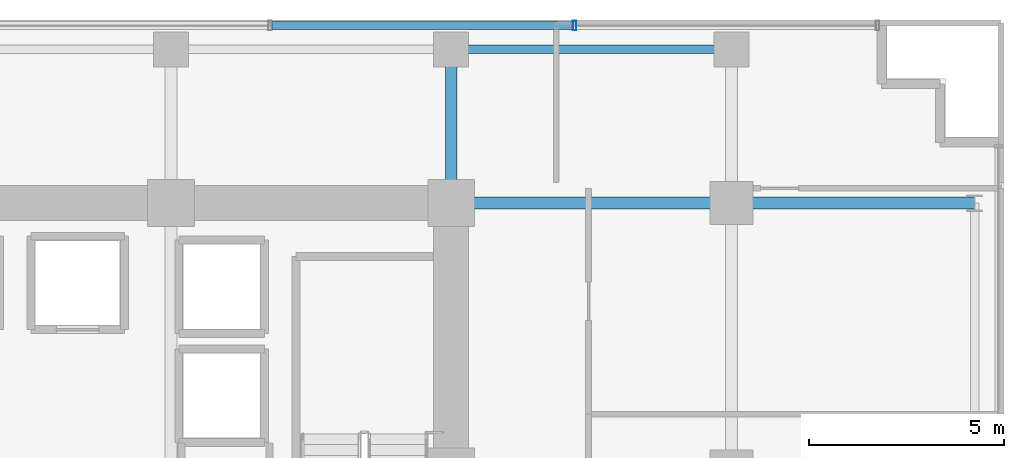
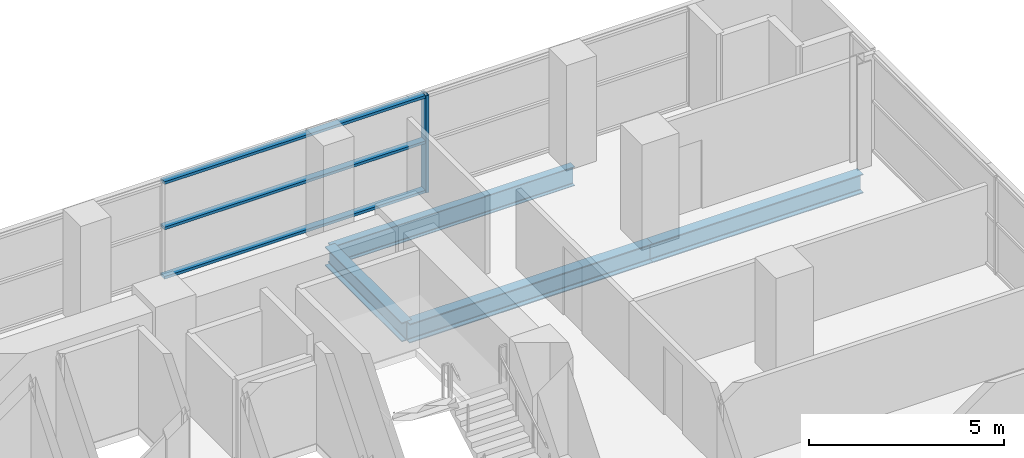
# One storey, part 20 of 31: 4 beams, 4 members, 1 element without a shape of its own.
"""IFC4 building model written with IfcOpenShell, lengths in metres."""

from ifc_helpers import new_model, si_unit, direction, frame, origin, origin_2d, place, context, subcontext, project, spatial, hollow_rectangle, i_section, extrude, source, transform, mapped, material, layer, layer_set, material_profile, profile_set, type_object, element, aggregate, save


model = new_model("IFC4")

# Units and contexts
model_context = context("Model", 3, precision=1e-05, world=origin(), true_north=direction((0.0, 1.0)))
body_context = subcontext(model_context, "Body", "Model", "MODEL_VIEW")
ifc_project = project(units=[si_unit("LENGTHUNIT", "METRE"), si_unit("AREAUNIT", "SQUARE_METRE"), si_unit("VOLUMEUNIT", "CUBIC_METRE"), si_unit("PLANEANGLEUNIT", "RADIAN"), si_unit("MASSUNIT", "GRAM", prefix="KILO")], contexts=[model_context])

# Site, building, storey
site_placement = place(None, origin())
site = spatial("IfcSite", under=ifc_project, at=site_placement, CompositionType="ELEMENT")
building_placement = place(site_placement, origin())
building = spatial("IfcBuilding", under=site, at=building_placement, Name="Zarnakvel Exchange Tower", CompositionType="ELEMENT")
storey_placement = place(building_placement, frame((0.0, 0.0, 47.199951171875)))
storey = spatial("IfcBuildingStorey", under=building, at=storey_placement, Name="L12", CompositionType="ELEMENT", Elevation=47.199951171875)

# Beams
ifc_material_1 = material(Name="Steel S355", Category="steel")
ifc_material_profile_1 = material_profile(ifc_material_1, i_section(OverallWidth=0.300048828125, OverallDepth=0.60009765625, WebThickness=0.015380859375, FlangeThickness=0.030029296875, FilletRadius=0.027099609375, at=origin_2d()))
ifc_profile_set_1 = profile_set([ifc_material_profile_1], Name="Steel S355")
beam_type_1 = type_object("IfcBeamType", Name="G-04", PredefinedType="BEAM", material=ifc_profile_set_1)
beam_1_placement = place(storey_placement, frame((14.39990234375, 13.5, -0.52490234375), z_axis=(1.0, 0.0, 0.0), x_axis=(0.0, 1.0, 0.0)))
element("IfcBeam", 1, at=beam_1_placement, inside=storey, type_object=beam_type_1, Name="L12 Tower E-W Frame Beam", PredefinedType="BEAM", context=body_context, shape_type="SweptSolid", body=[
    extrude(i_section(OverallWidth=0.300048828125, OverallDepth=0.60009765625, WebThickness=0.015380859375, FlangeThickness=0.030029296875, FilletRadius=0.027099609375, at=origin_2d()), origin(), (0.0, 0.0, 1.0), 7.2001953125),
])
beam_2_placement = place(storey_placement, frame((21.60009765625, 13.5, -0.52490234375), z_axis=(1.0, 0.0, 0.0), x_axis=(0.0, 1.0, 0.0)))
element("IfcBeam", 2, at=beam_2_placement, inside=storey, type_object=beam_type_1, Name="L12 Tower E-W Frame Beam", PredefinedType="BEAM", context=body_context, shape_type="SweptSolid", body=[
    extrude(i_section(OverallWidth=0.300048828125, OverallDepth=0.60009765625, WebThickness=0.015380859375, FlangeThickness=0.030029296875, FilletRadius=0.027099609375, at=origin_2d()), origin(), (0.0, 0.0, 1.0), 6.25),
])
beam_3_placement = place(storey_placement, frame((14.39990234375, 13.5, -0.52490234375), z_axis=(0.0, 1.0, 0.0), x_axis=(-1.0, 0.0, 0.0)))
element("IfcBeam", 3, at=beam_3_placement, inside=storey, type_object=beam_type_1, Name="L12 Tower N-S Frame Beam", PredefinedType="BEAM", context=body_context, shape_type="SweptSolid", body=[
    extrude(i_section(OverallWidth=0.300048828125, OverallDepth=0.60009765625, WebThickness=0.015380859375, FlangeThickness=0.030029296875, FilletRadius=0.027099609375, at=origin_2d()), origin(), (0.0, 0.0, 1.0), 3.949951171875),
])
ifc_material_profile_2 = material_profile(ifc_material_1, i_section(OverallWidth=0.219970703125, OverallDepth=0.60009765625, WebThickness=0.011962890625, FlangeThickness=0.01904296875, FilletRadius=0.02392578125, at=origin_2d()))
ifc_profile_set_2 = profile_set([ifc_material_profile_2], Name="Steel S355")
beam_type_2 = type_object("IfcBeamType", Name="SP-01", PredefinedType="SPANDREL", material=ifc_profile_set_2)
beam_4_placement = place(storey_placement, frame((14.39990234375, 17.449951171875, -0.52490234375), z_axis=(1.0, 0.0, 0.0), x_axis=(0.0, 1.0, 0.0)))
element("IfcBeam", 4, at=beam_4_placement, inside=storey, type_object=beam_type_2, Name="L12 Tower E-W Frame Beam", PredefinedType="SPANDREL", context=body_context, shape_type="SweptSolid", body=[
    extrude(i_section(OverallWidth=0.219970703125, OverallDepth=0.60009765625, WebThickness=0.011962890625, FlangeThickness=0.01904296875, FilletRadius=0.02392578125, at=origin_2d()), origin(), (0.0, 0.0, 1.0), 7.2001953125),
])

# Curtain wall, members
ifc_material_2 = material(Name="Architectural Bronze Anodised Aluminium", Category="aluminium")
ifc_layer = layer(ifc_material_2, 0.239990234375)
ifc_layer_set = layer_set([ifc_layer], Name="Architectural Bronze Anodised Aluminium")
curtain_wall_type = type_object("IfcCurtainWallType", Name="CW-02", PredefinedType="NOTDEFINED", material=ifc_layer_set)
curtain_wall_placement = place(storey_placement, origin())
curtain_wall = element("IfcCurtainWall", 5, at=curtain_wall_placement, inside=storey, type_object=curtain_wall_type, Name="L12 Curtain Wall CW-L12-N1 (CW-02)", PredefinedType="NOTDEFINED")
ifc_material_profile_3 = material_profile(ifc_material_2, hollow_rectangle(XDim=0.199951171875, YDim=0.0849609375, WallThickness=0.0048828125, at=origin_2d()))
ifc_profile_set_3 = profile_set([ifc_material_profile_3], Name="Architectural Bronze Anodised Aluminium")
member_type_1 = type_object("IfcMemberType", Name="CWT-02", PredefinedType="USERDEFINED", material=ifc_profile_set_3)
shared_shape_1 = source(origin(), body_context, "Body", "SweptSolid", [
    extrude(hollow_rectangle(XDim=0.199951171875, YDim=0.0849609375, WallThickness=0.0048828125, at=origin_2d()), origin(), (0.0, 0.0, 1.0), 7.738525390625),
])
member_1_placement = place(storey_placement, frame((9.787841796875, 18.06005859375, 0.04248046875), z_axis=(1.0, 0.0, 0.0), x_axis=(0.0, 1.0, 0.0)))
member_1 = element("IfcMember", 6, at=member_1_placement, type_object=member_type_1, Name="CW-02 transom 6.1", ObjectType="TRANSOM", PredefinedType="USERDEFINED", context=body_context, shape_type="MappedRepresentation", body=[
    mapped(shared_shape_1, transform((0.0, 0.0, 0.0), x_axis=(1.0, 0.0, 0.0), y_axis=(0.0, 1.0, 0.0), z_axis=(0.0, 0.0, 1.0), scale=1.0)),
])
member_2_placement = place(storey_placement, frame((9.787841796875, 18.06005859375, 1.588623046875), z_axis=(1.0, 0.0, 0.0), x_axis=(0.0, 1.0, 0.0)))
member_2 = element("IfcMember", 7, at=member_2_placement, type_object=member_type_1, Name="CW-02 transom 6.2", ObjectType="TRANSOM", PredefinedType="USERDEFINED", context=body_context, shape_type="MappedRepresentation", body=[
    mapped(shared_shape_1, transform((0.0, 0.0, 0.0), x_axis=(1.0, 0.0, 0.0), y_axis=(0.0, 1.0, 0.0), z_axis=(0.0, 0.0, 1.0), scale=1.0)),
])
member_3_placement = place(storey_placement, frame((9.787841796875, 18.06005859375, 3.012451171875), z_axis=(1.0, 0.0, 0.0), x_axis=(0.0, 1.0, 0.0)))
member_3 = element("IfcMember", 8, at=member_3_placement, type_object=member_type_1, Name="CW-02 transom 6.3", ObjectType="TRANSOM", PredefinedType="USERDEFINED", context=body_context, shape_type="MappedRepresentation", body=[
    mapped(shared_shape_1, transform((0.0, 0.0, 0.0), x_axis=(1.0, 0.0, 0.0), y_axis=(0.0, 1.0, 0.0), z_axis=(0.0, 0.0, 1.0), scale=1.0)),
])
ifc_material_profile_4 = material_profile(ifc_material_2, hollow_rectangle(XDim=0.239990234375, YDim=0.090087890625, WallThickness=0.006103515625, at=origin_2d()))
ifc_profile_set_4 = profile_set([ifc_material_profile_4], Name="Architectural Bronze Anodised Aluminium")
member_type_2 = type_object("IfcMemberType", Name="CWM-02", PredefinedType="MULLION", material=ifc_profile_set_4)
shared_shape_2 = source(origin(), body_context, "Body", "SweptSolid", [
    extrude(hollow_rectangle(XDim=0.239990234375, YDim=0.090087890625, WallThickness=0.006103515625, at=origin_2d()), origin(), (0.0, 0.0, 1.0), 3.054931640625),
])
member_4_placement = place(storey_placement, frame((17.571533203125, 18.06005859375, 0.0), z_axis=(0.0, 0.0, 1.0), x_axis=(0.0, 1.0, 0.0)))
member_4 = element("IfcMember", 9, at=member_4_placement, type_object=member_type_2, Name="CW-02 mullion 7", PredefinedType="MULLION", context=body_context, shape_type="MappedRepresentation", body=[
    mapped(shared_shape_2, transform((0.0, 0.0, 0.0), x_axis=(1.0, 0.0, 0.0), y_axis=(0.0, 1.0, 0.0), z_axis=(0.0, 0.0, 1.0), scale=1.0)),
])
aggregate(curtain_wall, [member_4, member_1, member_2, member_3])

save(model, "model.ifc")
